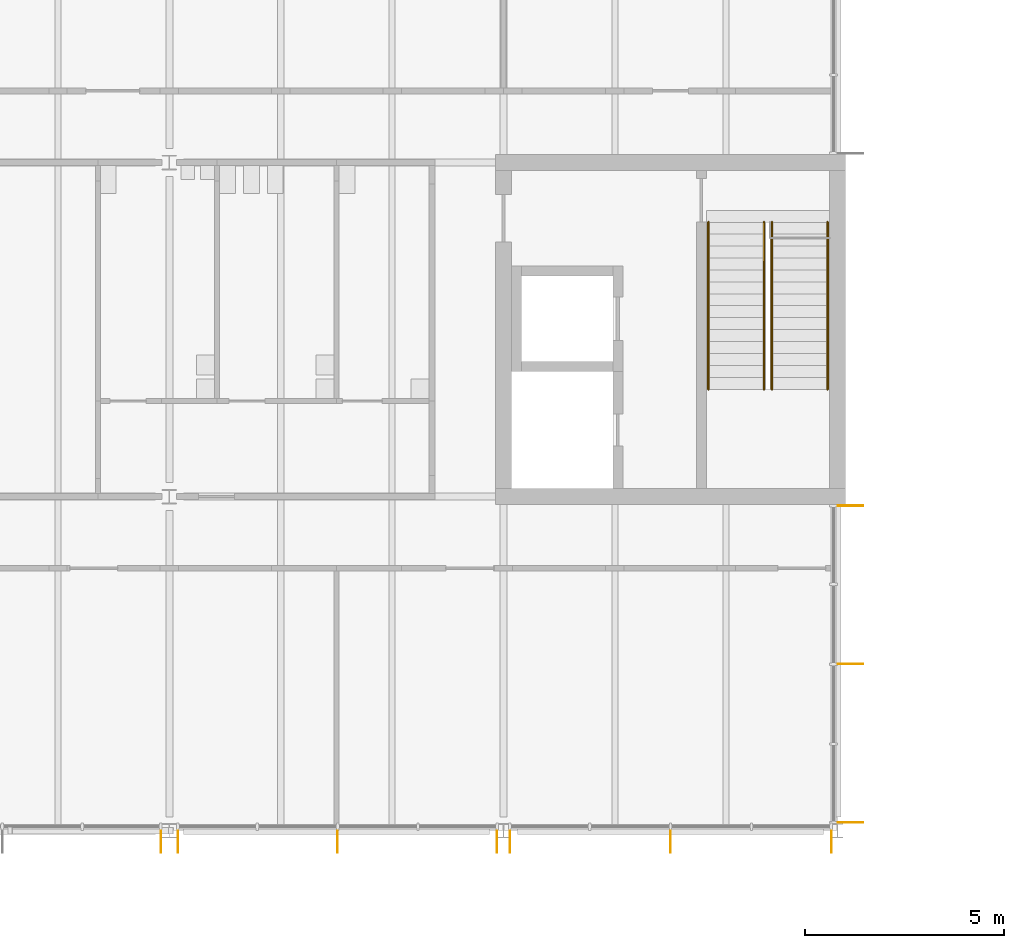
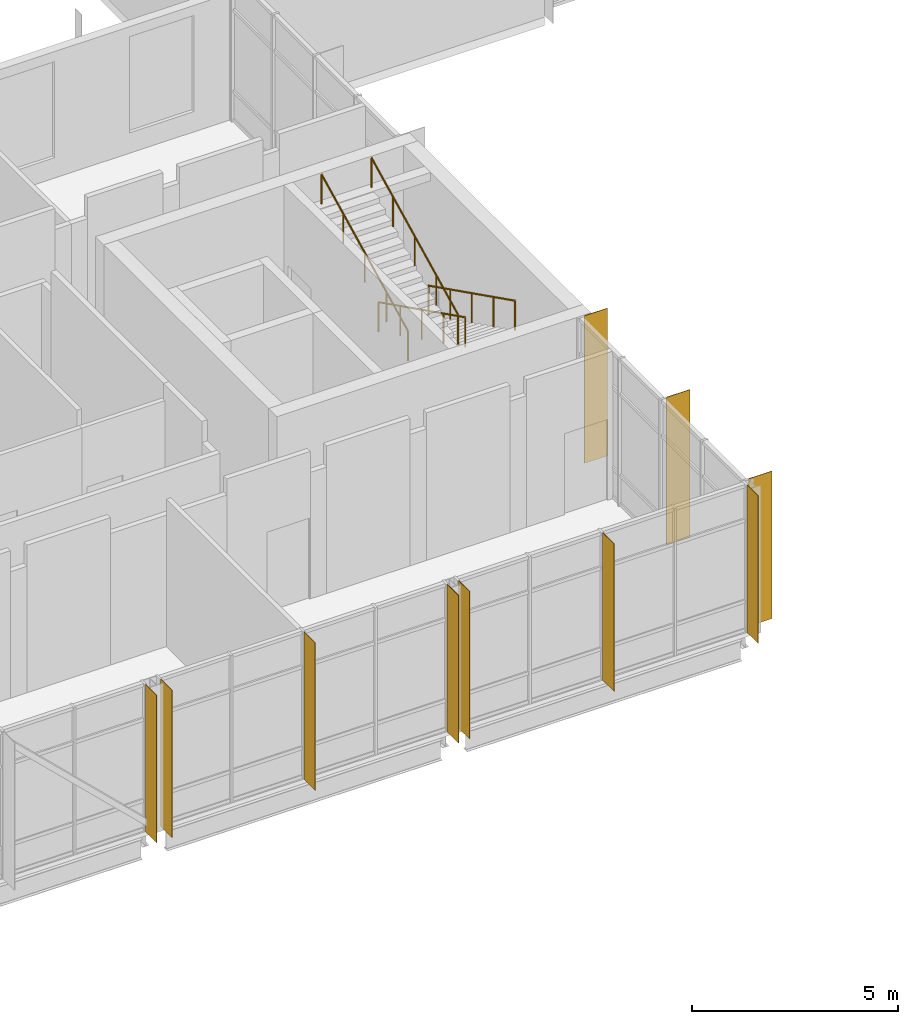
# One storey, part 78 of 89: 10 shading devices, 4 railings.
"""IFC4 building model written with IfcOpenShell, lengths in metres."""

from ifc_helpers import new_model, si_unit, direction, frame, origin, origin_2d, place, context, subcontext, project, spatial, rectangle, circle, extrude, material, layer, layer_set, type_object, element, save


model = new_model("IFC4")

# Units and contexts
model_context = context("Model", 3, precision=1e-05, world=origin(), true_north=direction((0.0, 1.0)))
body_context = subcontext(model_context, "Body", "Model", "MODEL_VIEW")
ifc_project = project(units=[si_unit("LENGTHUNIT", "METRE"), si_unit("AREAUNIT", "SQUARE_METRE"), si_unit("VOLUMEUNIT", "CUBIC_METRE"), si_unit("PLANEANGLEUNIT", "RADIAN"), si_unit("MASSUNIT", "GRAM", prefix="KILO")], contexts=[model_context])

# Site, building, storey
site_placement = place(None, origin())
site = spatial("IfcSite", under=ifc_project, at=site_placement, CompositionType="ELEMENT")
building_placement = place(site_placement, origin())
building = spatial("IfcBuilding", under=site, at=building_placement, Name="Hlaing Beacon Police Headquarters", CompositionType="ELEMENT")
storey_placement = place(building_placement, frame((0.0, 0.0, 9.89990234375)))
storey = spatial("IfcBuildingStorey", under=building, at=storey_placement, Name="L02", CompositionType="ELEMENT", Elevation=9.89990234375)

# Shading devices
ifc_material_1 = material(Name="Aluminium 6063-T5 anodised", Category="aluminium")
ifc_layer_1 = layer(ifc_material_1, 0.011962890625)
ifc_layer_set_1 = layer_set([ifc_layer_1], Name="Aluminium 6063-T5 anodised")
shading_device_type_1 = type_object("IfcShadingDeviceType", Name="Aluminium fin 12x550", PredefinedType="JALOUSIE", material=ifc_layer_set_1)
for number, where, z_axis, x_axis, name in (
    (1, (41.78466796875, 8.125, 0.0), (0.0, 0.0, 1.0), (1.0, 0.0, 0.0), "Fin L02 S012.4"),
    (2, (42.21533203125, 8.125, 0.0), (0.0, 0.0, 1.0), (1.0, 0.0, 0.0), "Fin L02 S013.0"),
    (3, (46.228515625, 8.125, 0.0), (0.0, 0.0, 1.0), (1.0, 0.0, 0.0), "Fin L02 S013.2"),
    (4, (50.24169921875, 8.125, 0.0), (0.0, 0.0, 1.0), (1.0, 0.0, 0.0), "Fin L02 S013.4"),
    (5, (50.558349609375, 8.125, 0.0), (0.0, 0.0, 1.0), (1.0, 0.0, 0.0), "Fin L02 S014.0"),
    (6, (54.6005859375, 8.125, 0.0), (0.0, 0.0, 1.0), (1.0, 0.0, 0.0), "Fin L02 S014.2"),
    (7, (58.64306640625, 8.125, 0.0), (0.0, 0.0, 1.0), (1.0, 0.0, 0.0), "Fin L02 S014.4"),
):
    element("IfcShadingDevice", number, at=place(storey_placement, frame(where, z_axis=z_axis, x_axis=x_axis)), inside=storey, type_object=shading_device_type_1, Name=name, PredefinedType="JALOUSIE", context=body_context, shape_type="SweptSolid", body=[
        extrude(rectangle(XDim=0.011962890625, YDim=0.550048828125, at=origin_2d()), origin(), (0.0, 0.0, 1.0), 4.3701171875),
    ])
ifc_material_2 = material(Name="Aluminium 6063-T5 anodised", Category="aluminium")
ifc_layer_2 = layer(ifc_material_2, 0.01611328125)
ifc_layer_set_2 = layer_set([ifc_layer_2], Name="Aluminium 6063-T5 anodised")
shading_device_type_2 = type_object("IfcShadingDeviceType", Name="Aluminium fin 16x650", PredefinedType="JALOUSIE", material=ifc_layer_set_2)
for number, where, z_axis, x_axis, name in (
    (8, (59.125, 8.6064453125, 0.0), (0.0, 0.0, 1.0), (0.0, 1.0, 0.0), "Fin L02 E007.0"),
    (9, (59.125, 12.58837890625, 0.0), (0.0, 0.0, 1.0), (0.0, 1.0, 0.0), "Fin L02 E007.2"),
    (10, (59.125, 16.570068359375, 0.0), (0.0, 0.0, 1.0), (0.0, 1.0, 0.0), "Fin L02 E007.4"),
):
    element("IfcShadingDevice", number, at=place(storey_placement, frame(where, z_axis=z_axis, x_axis=x_axis)), inside=storey, type_object=shading_device_type_2, Name=name, PredefinedType="JALOUSIE", context=body_context, shape_type="SweptSolid", body=[
        extrude(rectangle(XDim=0.01611328125, YDim=0.64990234375, at=origin_2d()), origin(), (0.0, 0.0, 1.0), 4.3701171875),
    ])

# Railings
ifc_material_3 = material(Name="Stainless steel", Category="steel")
railing_type = type_object("IfcRailingType", Name="Stair handrail 900", PredefinedType="HANDRAIL", material=ifc_material_3)
for number, where, name in (
    (11, (58.550048828125, 23.699951171875, 0.150146484375), "Handrail ST-K"),
    (12, (57.14990234375, 23.699951171875, 0.150146484375), "Handrail ST-K"),
):
    element("IfcRailing", number, at=place(storey_placement, frame(where)), inside=storey, type_object=railing_type, Name=name, PredefinedType="HANDRAIL", context=body_context, shape_type="SweptSolid", body=[
        extrude(circle(Radius=0.02392578125, at=origin_2d()), frame((0.0, 0.0, 0.8759765625), z_axis=(0.0, -0.894437589381, 0.447192798132), x_axis=(1.0, 0.0, 0.0)), (0.0, 0.0, 1.0), 4.695556640625),
        extrude(circle(Radius=0.02099609375, at=origin_2d()), origin(), (0.0, 0.0, 1.0), 0.851806640625),
        extrude(circle(Radius=0.02099609375, at=origin_2d()), frame((0.0, -1.050048828125, 0.52490234375)), (0.0, 0.0, 1.0), 0.851806640625),
        extrude(circle(Radius=0.02099609375, at=origin_2d()), frame((0.0, -2.10009765625, 1.0498046875)), (0.0, 0.0, 1.0), 0.851806640625),
        extrude(circle(Radius=0.02099609375, at=origin_2d()), frame((0.0, -3.14990234375, 1.574951171875)), (0.0, 0.0, 1.0), 0.851806640625),
        extrude(circle(Radius=0.02099609375, at=origin_2d()), frame((0.0, -4.199951171875, 2.099853515625)), (0.0, 0.0, 1.0), 0.851806640625),
    ])
for number, where, name in (
    (13, (56.949951171875, 19.5, 2.400146484375), "Handrail ST-K"),
    (14, (55.550048828125, 19.5, 2.400146484375), "Handrail ST-K"),
):
    element("IfcRailing", number, at=place(storey_placement, frame(where)), inside=storey, type_object=railing_type, Name=name, PredefinedType="HANDRAIL", context=body_context, shape_type="SweptSolid", body=[
        extrude(circle(Radius=0.02392578125, at=origin_2d()), frame((0.0, 0.0, 0.8759765625), z_axis=(0.0, 0.894437589381, 0.447192798132), x_axis=(-1.0, 0.0, 0.0)), (0.0, 0.0, 1.0), 4.695556640625),
        extrude(circle(Radius=0.02099609375, at=origin_2d()), origin(), (0.0, 0.0, 1.0), 0.851806640625),
        extrude(circle(Radius=0.02099609375, at=origin_2d()), frame((0.0, 1.050048828125, 0.52490234375)), (0.0, 0.0, 1.0), 0.851806640625),
        extrude(circle(Radius=0.02099609375, at=origin_2d()), frame((0.0, 2.10009765625, 1.0498046875)), (0.0, 0.0, 1.0), 0.851806640625),
        extrude(circle(Radius=0.02099609375, at=origin_2d()), frame((0.0, 3.14990234375, 1.574951171875)), (0.0, 0.0, 1.0), 0.851806640625),
        extrude(circle(Radius=0.02099609375, at=origin_2d()), frame((0.0, 4.199951171875, 2.099853515625)), (0.0, 0.0, 1.0), 0.851806640625),
    ])

save(model, "model.ifc")
